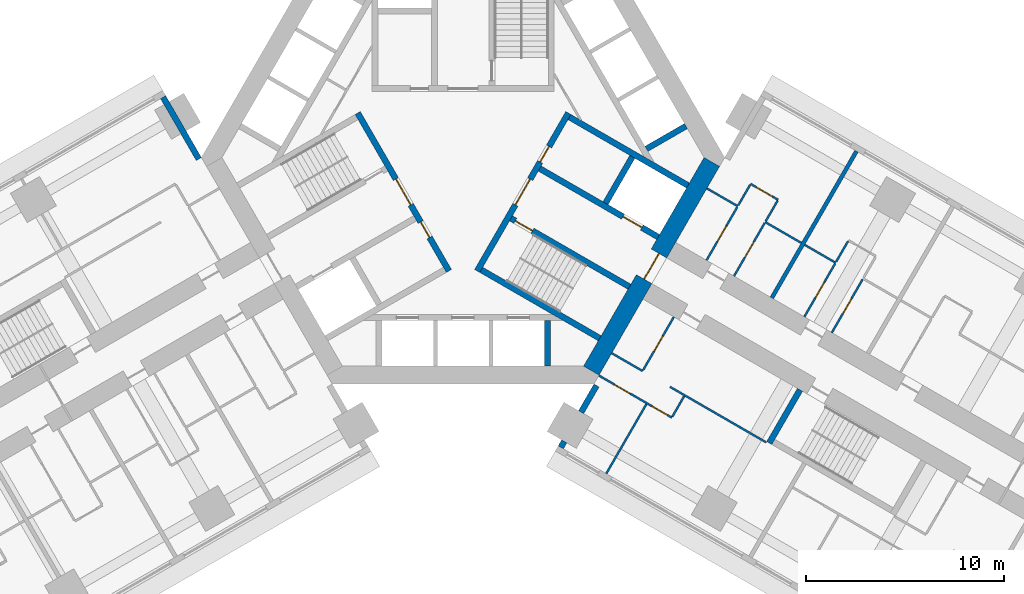
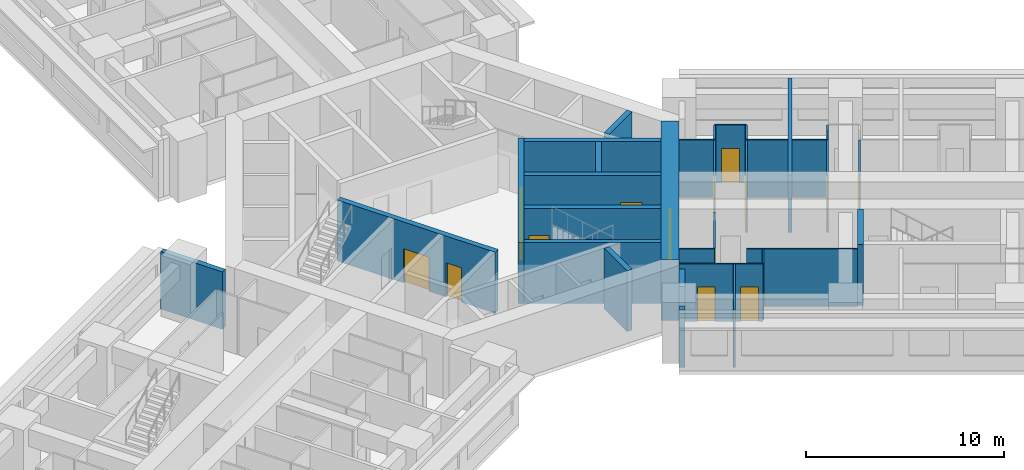
# One storey, part 7 of 17: 32 walls, 15 doors, 15 openings.
"""IFC4 building model written with IfcOpenShell, lengths in metres."""

from ifc_helpers import new_model, si_unit, direction, frame, frame_2d, origin, place, context, subcontext, project, spatial, rectangle, extrude, material, layer, layer_set, type_object, element, fill, save


model = new_model("IFC4")

# Units and contexts
model_context = context("Model", 3, precision=1e-05, world=origin(), true_north=direction((0.0, 1.0)))
body_context = subcontext(model_context, "Body", "Model", "MODEL_VIEW")
ifc_project = project(units=[si_unit("LENGTHUNIT", "METRE"), si_unit("AREAUNIT", "SQUARE_METRE"), si_unit("VOLUMEUNIT", "CUBIC_METRE"), si_unit("PLANEANGLEUNIT", "RADIAN"), si_unit("MASSUNIT", "GRAM", prefix="KILO")], contexts=[model_context])

# Site, building, storey
site_placement = place(None, origin())
site = spatial("IfcSite", under=ifc_project, at=site_placement, CompositionType="ELEMENT")
building_placement = place(site_placement, origin())
building = spatial("IfcBuilding", under=site, at=building_placement, Name="Impinga Residences", CompositionType="ELEMENT")
storey_placement = place(building_placement, frame((0.0, 0.0, 33.5)))
storey = spatial("IfcBuildingStorey", under=building, at=storey_placement, Name="L07", CompositionType="ELEMENT", Elevation=33.5)

# Walls
ifc_material_1 = material(Name="Terracotta rainscreen on blockwork", Category="masonry")
ifc_layer_1 = layer(ifc_material_1, 0.300048828125)
ifc_layer_set_1 = layer_set([ifc_layer_1], Name="EW1 external wall, terracotta rainscreen on blockwork 300")
wall_type_1 = type_object("IfcWallType", Name="EW1 external wall, terracotta rainscreen on blockwork 300", PredefinedType="SOLIDWALL", material=ifc_layer_set_1)
wall_1_placement = place(storey_placement, frame((-15.1298828125, 3.042724609375, 0.0), z_axis=(0.0, 0.0, 1.0), x_axis=(0.500012057535, -0.866018442252, 0.0)))
element("IfcWall", 1, at=wall_1_placement, inside=storey, type_object=wall_type_1, Name="External wall EW1 L07", PredefinedType="SOLIDWALL", context=body_context, shape_type="SweptSolid", body=[
    extrude(rectangle(XDim=3.60009765625, YDim=0.300048828125, at=frame_2d((1.800048828125, 0.0))), origin(), (0.0, 0.0, 1.0), 3.530029296875),
])
wall_2_placement = place(storey_placement, frame((4.929931640625, -14.624267578125, 0.0), z_axis=(0.0, 0.0, 1.0), x_axis=(0.49996389635, 0.866046247233, 0.0)))
element("IfcWall", 2, at=wall_2_placement, inside=storey, type_object=wall_type_1, Name="External wall EW1 L07", PredefinedType="SOLIDWALL", context=body_context, shape_type="SweptSolid", body=[
    extrude(rectangle(XDim=0.35009765625, YDim=0.300048828125, at=frame_2d((0.175048828125, 0.0))), origin(), (0.0, 0.0, 1.0), 3.530029296875),
])
wall_3_placement = place(storey_placement, frame((5.954833984375, -12.848876953125, 0.0), z_axis=(0.0, 0.0, 1.0), x_axis=(0.500086022567, 0.865975732936, 0.0)))
element("IfcWall", 3, at=wall_3_placement, inside=storey, type_object=wall_type_1, Name="External wall EW1 L07", PredefinedType="SOLIDWALL", context=body_context, shape_type="SweptSolid", body=[
    extrude(rectangle(XDim=1.550048828125, YDim=0.300048828125, at=frame_2d((0.77490234375, 0.0))), origin(), (0.0, 0.0, 1.0), 3.530029296875),
])
ifc_material_2 = material(Name="Gypsum board on steel studs", Category="steel")
ifc_layer_2 = layer(ifc_material_2, 0.10009765625)
ifc_layer_set_2 = layer_set([ifc_layer_2], Name="Gypsum board on steel studs")
wall_type_2 = type_object("IfcWallType", Name="IP1 partition 100", PredefinedType="PARTITIONING", material=ifc_layer_set_2)
wall_4_placement = place(storey_placement, frame((12.300048828125, -1.558837890625, 0.0), z_axis=(0.0, 0.0, 1.0), x_axis=(0.866047807691, -0.499961193289, 0.0)))
element("IfcWall", 4, at=wall_4_placement, inside=storey, type_object=wall_type_2, Name="Partition L07-EA1:DIV0", PredefinedType="PARTITIONING", context=body_context, shape_type="SweptSolid", body=[
    extrude(rectangle(XDim=1.800048828125, YDim=0.10009765625, at=frame_2d((0.89990234375, 0.0))), origin(), (0.0, 0.0, 1.0), 3.530029296875),
])
wall_5_placement = place(storey_placement, frame((15.244384765625, -3.2587890625, 0.0), z_axis=(0.0, 0.0, 1.0), x_axis=(0.866038466041, -0.499977374825, 0.0)))
element("IfcWall", 5, at=wall_5_placement, inside=storey, type_object=wall_type_2, Name="Partition L07-EA1:DIV1", PredefinedType="PARTITIONING", context=body_context, shape_type="SweptSolid", body=[
    extrude(rectangle(XDim=2.10009765625, YDim=0.10009765625, at=frame_2d((1.050048828125, 0.0))), origin(), (0.0, 0.0, 1.0), 3.530029296875),
])

# Wall, opening, door
wall_6_placement = place(storey_placement, frame((14.5087890625, -1.3330078125, 0.0), z_axis=(0.0, 0.0, 1.0), x_axis=(0.866028054938, -0.499995408039, 0.0)))
wall_6 = element("IfcWall", 6, at=wall_6_placement, inside=storey, type_object=wall_type_2, Name="Partition L07-EA1:STRIP", PredefinedType="PARTITIONING", context=body_context, shape_type="SweptSolid", body=[
    extrude(rectangle(XDim=1.60009765625, YDim=0.10009765625, at=frame_2d((0.800048828125, 0.0))), origin(), (0.0, 0.0, 1.0), 3.530029296875),
])
opening_1_placement = place(wall_6_placement, frame((0.35009765625, 0.0, 0.0)))
opening_1 = element("IfcOpeningElement", 7, at=opening_1_placement, cuts=wall_6, Name="Opening D2", PredefinedType="OPENING", context=body_context, shape_type="SweptSolid", body=[
    extrude(rectangle(XDim=0.89990234375, YDim=2.10009765625, at=frame_2d((0.449951171875, 1.050048828125))), frame((0.0, 0.06005859375, 0.0), z_axis=(0.0, -1.0, 0.0), x_axis=(1.0, 0.0, 0.0)), (0.0, 0.0, 1.0), 0.1201171875),
])
ifc_material_3 = material(Name="Timber door set", Category="wood")
door_type_1 = type_object("IfcDoorType", Name="D2 internal door 900x2100", OperationType="SINGLE_SWING_LEFT", PredefinedType="DOOR", material=ifc_material_3)
door_1_placement = place(opening_1_placement, origin())
door_1 = element("IfcDoor", 8, at=door_1_placement, inside=storey, type_object=door_type_1, Name="Apartment L07-EA1 room door", OperationType="SINGLE_SWING_LEFT", OverallHeight=2.10009765625, OverallWidth=0.89990234375, PredefinedType="DOOR", context=body_context, shape_type="SweptSolid", body=[
    extrude(rectangle(XDim=0.89990234375, YDim=2.10009765625, at=frame_2d((0.449951171875, 1.050048828125))), frame((0.0, 0.02490234375, 0.0), z_axis=(0.0, -1.0, 0.0), x_axis=(1.0, 0.0, 0.0)), (0.0, 0.0, 1.0), 0.050048828125),
])
fill(opening_1, door_1)

# Walls
wall_7_placement = place(storey_placement, frame((13.8837890625, -2.41552734375, 0.0), z_axis=(0.0, 0.0, 1.0), x_axis=(0.500033551112, 0.866006032174, 0.0)))
element("IfcWall", 9, at=wall_7_placement, inside=storey, type_object=wall_type_2, Name="Partition L07-EA1:SE0", PredefinedType="PARTITIONING", context=body_context, shape_type="SweptSolid", body=[
    extrude(rectangle(XDim=1.2001953125, YDim=0.10009765625, at=frame_2d((0.60009765625, 0.0))), origin(), (0.0, 0.0, 1.0), 3.530029296875),
])
wall_8_placement = place(storey_placement, frame((15.26953125, -3.215576171875, 0.0), z_axis=(0.0, 0.0, 1.0), x_axis=(0.499880961361, 0.866094119867, 0.0)))
element("IfcWall", 10, at=wall_8_placement, inside=storey, type_object=wall_type_2, Name="Partition L07-EA1:SE1", PredefinedType="PARTITIONING", context=body_context, shape_type="SweptSolid", body=[
    extrude(rectangle(XDim=1.199951171875, YDim=0.10009765625, at=frame_2d((0.60009765625, 0.0))), origin(), (0.0, 0.0, 1.0), 3.530029296875),
])

# Wall, opening, door
wall_9_placement = place(storey_placement, frame((12.283935546875, -5.186767578125, 0.0), z_axis=(0.0, 0.0, 1.0), x_axis=(0.499967891604, 0.866043940782, 0.0)))
wall_9 = element("IfcWall", 11, at=wall_9_placement, inside=storey, type_object=wall_type_2, Name="Partition L07-EA1:IB1", PredefinedType="PARTITIONING", context=body_context, shape_type="SweptSolid", body=[
    extrude(rectangle(XDim=3.099853515625, YDim=0.10009765625, at=frame_2d((1.5498046875, 0.0))), origin(), (0.0, 0.0, 1.0), 3.530029296875),
])
opening_2_placement = place(wall_9_placement, frame((1.10009765625, 0.0, 0.0)))
opening_2 = element("IfcOpeningElement", 12, at=opening_2_placement, cuts=wall_9, Name="Opening D2", PredefinedType="OPENING", context=body_context, shape_type="SweptSolid", body=[
    extrude(rectangle(XDim=0.89990234375, YDim=2.10009765625, at=frame_2d((0.449951171875, 1.050048828125))), frame((0.0, 0.06005859375, 0.0), z_axis=(0.0, -1.0, 0.0), x_axis=(1.0, 0.0, 0.0)), (0.0, 0.0, 1.0), 0.1201171875),
])
door_2_placement = place(opening_2_placement, origin())
door_2 = element("IfcDoor", 13, at=door_2_placement, inside=storey, type_object=door_type_1, Name="Apartment L07-EA1 bathroom door", OperationType="SINGLE_SWING_LEFT", OverallHeight=2.10009765625, OverallWidth=0.89990234375, PredefinedType="DOOR", context=body_context, shape_type="SweptSolid", body=[
    extrude(rectangle(XDim=0.89990234375, YDim=2.10009765625, at=frame_2d((0.449951171875, 1.050048828125))), frame((0.0, 0.02490234375, 0.0), z_axis=(0.0, -1.0, 0.0), x_axis=(1.0, 0.0, 0.0)), (0.0, 0.0, 1.0), 0.050048828125),
])
fill(opening_2, door_2)

wall_10_placement = place(storey_placement, frame((13.66943359375, -5.98681640625, 0.0), z_axis=(0.0, 0.0, 1.0), x_axis=(0.500026960575, 0.86600983753, 0.0)))
wall_10 = element("IfcWall", 14, at=wall_10_placement, inside=storey, type_object=wall_type_2, Name="Partition L07-EA1:IB2", PredefinedType="PARTITIONING", context=body_context, shape_type="SweptSolid", body=[
    extrude(rectangle(XDim=3.099853515625, YDim=0.10009765625, at=frame_2d((1.5498046875, 0.0))), origin(), (0.0, 0.0, 1.0), 3.530029296875),
])
opening_3_placement = place(wall_10_placement, frame((1.10009765625, 0.0, 0.0)))
opening_3 = element("IfcOpeningElement", 15, at=opening_3_placement, cuts=wall_10, Name="Opening D2", PredefinedType="OPENING", context=body_context, shape_type="SweptSolid", body=[
    extrude(rectangle(XDim=0.89990234375, YDim=2.10009765625, at=frame_2d((0.449951171875, 1.050048828125))), frame((0.0, 0.06005859375, 0.0), z_axis=(0.0, -1.0, 0.0), x_axis=(1.0, 0.0, 0.0)), (0.0, 0.0, 1.0), 0.1201171875),
])
door_3_placement = place(opening_3_placement, origin())
door_3 = element("IfcDoor", 16, at=door_3_placement, inside=storey, type_object=door_type_1, Name="Apartment L07-EA1 WC door", OperationType="SINGLE_SWING_LEFT", OverallHeight=2.10009765625, OverallWidth=0.89990234375, PredefinedType="DOOR", context=body_context, shape_type="SweptSolid", body=[
    extrude(rectangle(XDim=0.89990234375, YDim=2.10009765625, at=frame_2d((0.449951171875, 1.050048828125))), frame((0.0, 0.02490234375, 0.0), z_axis=(0.0, -1.0, 0.0), x_axis=(1.0, 0.0, 0.0)), (0.0, 0.0, 1.0), 0.050048828125),
])
fill(opening_3, door_3)

# Walls
wall_11_placement = place(storey_placement, frame((17.236328125, -4.408935546875, 0.0), z_axis=(0.0, 0.0, 1.0), x_axis=(0.866047807691, -0.499961193289, 0.0)))
element("IfcWall", 17, at=wall_11_placement, inside=storey, type_object=wall_type_2, Name="Partition L07-EA2:DIV0", PredefinedType="PARTITIONING", context=body_context, shape_type="SweptSolid", body=[
    extrude(rectangle(XDim=1.800048828125, YDim=0.10009765625, at=frame_2d((0.89990234375, 0.0))), origin(), (0.0, 0.0, 1.0), 3.530029296875),
])
wall_12_placement = place(storey_placement, frame((18.8203125, -5.265625, 0.0), z_axis=(0.0, 0.0, 1.0), x_axis=(0.499880961361, 0.866094119867, 0.0)))
element("IfcWall", 18, at=wall_12_placement, inside=storey, type_object=wall_type_2, Name="Partition L07-EA2:SE0", PredefinedType="PARTITIONING", context=body_context, shape_type="SweptSolid", body=[
    extrude(rectangle(XDim=1.199951171875, YDim=0.10009765625, at=frame_2d((0.60009765625, 0.0))), origin(), (0.0, 0.0, 1.0), 3.530029296875),
])

# Wall, opening, door
wall_13_placement = place(storey_placement, frame((17.22021484375, -8.036865234375, 0.0), z_axis=(0.0, 0.0, 1.0), x_axis=(0.49999285859, 0.86602952684, 0.0)))
wall_13 = element("IfcWall", 19, at=wall_13_placement, inside=storey, type_object=wall_type_2, Name="Partition L07-EA2:IB1", PredefinedType="PARTITIONING", context=body_context, shape_type="SweptSolid", body=[
    extrude(rectangle(XDim=3.10009765625, YDim=0.10009765625, at=frame_2d((1.550048828125, 0.0))), origin(), (0.0, 0.0, 1.0), 3.530029296875),
])
opening_4_placement = place(wall_13_placement, frame((1.10009765625, 0.0, 0.0)))
opening_4 = element("IfcOpeningElement", 20, at=opening_4_placement, cuts=wall_13, Name="Opening D2", PredefinedType="OPENING", context=body_context, shape_type="SweptSolid", body=[
    extrude(rectangle(XDim=0.89990234375, YDim=2.10009765625, at=frame_2d((0.449951171875, 1.050048828125))), frame((0.0, 0.06005859375, 0.0), z_axis=(0.0, -1.0, 0.0), x_axis=(1.0, 0.0, 0.0)), (0.0, 0.0, 1.0), 0.1201171875),
])
door_4_placement = place(opening_4_placement, origin())
door_4 = element("IfcDoor", 21, at=door_4_placement, inside=storey, type_object=door_type_1, Name="Apartment L07-EA2 bathroom door", OperationType="SINGLE_SWING_LEFT", OverallHeight=2.10009765625, OverallWidth=0.89990234375, PredefinedType="DOOR", context=body_context, shape_type="SweptSolid", body=[
    extrude(rectangle(XDim=0.89990234375, YDim=2.10009765625, at=frame_2d((0.449951171875, 1.050048828125))), frame((0.0, 0.02490234375, 0.0), z_axis=(0.0, -1.0, 0.0), x_axis=(1.0, 0.0, 0.0)), (0.0, 0.0, 1.0), 0.050048828125),
])
fill(opening_4, door_4)

wall_14_placement = place(storey_placement, frame((18.605712890625, -8.8369140625, 0.0), z_axis=(0.0, 0.0, 1.0), x_axis=(0.49999285859, 0.86602952684, 0.0)))
wall_14 = element("IfcWall", 22, at=wall_14_placement, inside=storey, type_object=wall_type_2, Name="Partition L07-EA2:IB2", PredefinedType="PARTITIONING", context=body_context, shape_type="SweptSolid", body=[
    extrude(rectangle(XDim=3.10009765625, YDim=0.10009765625, at=frame_2d((1.550048828125, 0.0))), origin(), (0.0, 0.0, 1.0), 3.530029296875),
])
opening_5_placement = place(wall_14_placement, frame((1.10009765625, 0.0, 0.0)))
opening_5 = element("IfcOpeningElement", 23, at=opening_5_placement, cuts=wall_14, Name="Opening D2", PredefinedType="OPENING", context=body_context, shape_type="SweptSolid", body=[
    extrude(rectangle(XDim=0.89990234375, YDim=2.10009765625, at=frame_2d((0.449951171875, 1.050048828125))), frame((0.0, 0.06005859375, 0.0), z_axis=(0.0, -1.0, 0.0), x_axis=(1.0, 0.0, 0.0)), (0.0, 0.0, 1.0), 0.1201171875),
])
door_5_placement = place(opening_5_placement, origin())
door_5 = element("IfcDoor", 24, at=door_5_placement, inside=storey, type_object=door_type_1, Name="Apartment L07-EA2 WC door", OperationType="SINGLE_SWING_LEFT", OverallHeight=2.10009765625, OverallWidth=0.89990234375, PredefinedType="DOOR", context=body_context, shape_type="SweptSolid", body=[
    extrude(rectangle(XDim=0.89990234375, YDim=2.10009765625, at=frame_2d((0.449951171875, 1.050048828125))), frame((0.0, 0.02490234375, 0.0), z_axis=(0.0, -1.0, 0.0), x_axis=(1.0, 0.0, 0.0)), (0.0, 0.0, 1.0), 0.050048828125),
])
fill(opening_5, door_5)

# Walls
wall_15_placement = place(storey_placement, frame((7.5, -9.872802734375, 0.0), z_axis=(0.0, 0.0, 1.0), x_axis=(0.866047807691, -0.499961193289, 0.0)))
element("IfcWall", 25, at=wall_15_placement, inside=storey, type_object=wall_type_2, Name="Partition L07-EF1:DIV0", PredefinedType="PARTITIONING", context=body_context, shape_type="SweptSolid", body=[
    extrude(rectangle(XDim=1.800048828125, YDim=0.10009765625, at=frame_2d((0.89990234375, 0.0))), origin(), (0.0, 0.0, 1.0), 3.530029296875),
])
wall_16_placement = place(storey_placement, frame((10.444580078125, -11.57275390625, 0.0), z_axis=(0.0, 0.0, 1.0), x_axis=(0.866015695474, -0.500016814911, 0.0)))
element("IfcWall", 26, at=wall_16_placement, inside=storey, type_object=wall_type_2, Name="Partition L07-EF1:DIV1", PredefinedType="PARTITIONING", context=body_context, shape_type="SweptSolid", body=[
    extrude(rectangle(XDim=5.599853515625, YDim=0.10009765625, at=frame_2d((2.7998046875, 0.0))), origin(), (0.0, 0.0, 1.0), 3.530029296875),
])

# Wall, openings, doors
wall_17_placement = place(storey_placement, frame((6.85009765625, -10.99853515625, 0.0), z_axis=(0.0, 0.0, 1.0), x_axis=(0.866014341725, -0.50001915956, 0.0)))
wall_17 = element("IfcWall", 27, at=wall_17_placement, inside=storey, type_object=wall_type_2, Name="Partition L07-EF1:STRIP", PredefinedType="PARTITIONING", context=body_context, shape_type="SweptSolid", body=[
    extrude(rectangle(XDim=4.249755859375, YDim=0.10009765625, at=frame_2d((2.125, 0.0))), origin(), (0.0, 0.0, 1.0), 3.530029296875),
])
opening_6_placement = place(wall_17_placement, frame((0.925048828125, 0.0, 0.0)))
opening_6 = element("IfcOpeningElement", 28, at=opening_6_placement, cuts=wall_17, Name="Opening D2", PredefinedType="OPENING", context=body_context, shape_type="SweptSolid", body=[
    extrude(rectangle(XDim=0.89990234375, YDim=2.10009765625, at=frame_2d((0.449951171875, 1.050048828125))), frame((0.0, 0.06005859375, 0.0), z_axis=(0.0, -1.0, 0.0), x_axis=(1.0, 0.0, 0.0)), (0.0, 0.0, 1.0), 0.1201171875),
])
opening_7_placement = place(wall_17_placement, frame((3.10009765625, 0.0, 0.0)))
opening_7 = element("IfcOpeningElement", 29, at=opening_7_placement, cuts=wall_17, Name="Opening D2", PredefinedType="OPENING", context=body_context, shape_type="SweptSolid", body=[
    extrude(rectangle(XDim=0.89990234375, YDim=2.10009765625, at=frame_2d((0.449951171875, 1.050048828125))), frame((0.0, 0.06005859375, 0.0), z_axis=(0.0, -1.0, 0.0), x_axis=(1.0, 0.0, 0.0)), (0.0, 0.0, 1.0), 0.1201171875),
])
door_6_placement = place(opening_6_placement, origin())
door_6 = element("IfcDoor", 30, at=door_6_placement, inside=storey, type_object=door_type_1, Name="Apartment L07-EF1 room door", OperationType="SINGLE_SWING_LEFT", OverallHeight=2.10009765625, OverallWidth=0.89990234375, PredefinedType="DOOR", context=body_context, shape_type="SweptSolid", body=[
    extrude(rectangle(XDim=0.89990234375, YDim=2.10009765625, at=frame_2d((0.449951171875, 1.050048828125))), frame((0.0, 0.02490234375, 0.0), z_axis=(0.0, -1.0, 0.0), x_axis=(1.0, 0.0, 0.0)), (0.0, 0.0, 1.0), 0.050048828125),
])
fill(opening_6, door_6)
door_7_placement = place(opening_7_placement, origin())
door_7 = element("IfcDoor", 31, at=door_7_placement, inside=storey, type_object=door_type_1, Name="Apartment L07-EF1 room door", OperationType="SINGLE_SWING_RIGHT", OverallHeight=2.10009765625, OverallWidth=0.89990234375, PredefinedType="DOOR", context=body_context, shape_type="SweptSolid", body=[
    extrude(rectangle(XDim=0.89990234375, YDim=2.10009765625, at=frame_2d((0.449951171875, 1.050048828125))), frame((0.0, 0.02490234375, 0.0), z_axis=(0.0, -1.0, 0.0), x_axis=(1.0, 0.0, 0.0)), (0.0, 0.0, 1.0), 0.050048828125),
])
fill(opening_7, door_7)

# Wall
wall_18_placement = place(storey_placement, frame((11.155517578125, -12.041015625, 0.0), z_axis=(0.0, 0.0, 1.0), x_axis=(-0.499880961361, -0.866094119867, 0.0)))
element("IfcWall", 32, at=wall_18_placement, inside=storey, type_object=wall_type_2, Name="Partition L07-EF1:SE1", PredefinedType="PARTITIONING", context=body_context, shape_type="SweptSolid", body=[
    extrude(rectangle(XDim=1.199951171875, YDim=0.10009765625, at=frame_2d((0.60009765625, 0.0))), origin(), (0.0, 0.0, 1.0), 3.530029296875),
])

# Wall, opening, door
wall_19_placement = place(storey_placement, frame((10.6337890625, -8.044677734375, 0.0), z_axis=(0.0, 0.0, 1.0), x_axis=(-0.49999285859, -0.86602952684, 0.0)))
wall_19 = element("IfcWall", 33, at=wall_19_placement, inside=storey, type_object=wall_type_2, Name="Partition L07-EF1:IB1", PredefinedType="PARTITIONING", context=body_context, shape_type="SweptSolid", body=[
    extrude(rectangle(XDim=3.10009765625, YDim=0.10009765625, at=frame_2d((1.550048828125, 0.0))), origin(), (0.0, 0.0, 1.0), 3.530029296875),
])
opening_8_placement = place(wall_19_placement, frame((1.10009765625, 0.0, 0.0)))
opening_8 = element("IfcOpeningElement", 34, at=opening_8_placement, cuts=wall_19, Name="Opening D2", PredefinedType="OPENING", context=body_context, shape_type="SweptSolid", body=[
    extrude(rectangle(XDim=0.89990234375, YDim=2.10009765625, at=frame_2d((0.449951171875, 1.050048828125))), frame((0.0, 0.06005859375, 0.0), z_axis=(0.0, -1.0, 0.0), x_axis=(1.0, 0.0, 0.0)), (0.0, 0.0, 1.0), 0.1201171875),
])
door_8_placement = place(opening_8_placement, origin())
door_8 = element("IfcDoor", 35, at=door_8_placement, inside=storey, type_object=door_type_1, Name="Apartment L07-EF1 bathroom door", OperationType="SINGLE_SWING_LEFT", OverallHeight=2.10009765625, OverallWidth=0.89990234375, PredefinedType="DOOR", context=body_context, shape_type="SweptSolid", body=[
    extrude(rectangle(XDim=0.89990234375, YDim=2.10009765625, at=frame_2d((0.449951171875, 1.050048828125))), frame((0.0, 0.02490234375, 0.0), z_axis=(0.0, -1.0, 0.0), x_axis=(1.0, 0.0, 0.0)), (0.0, 0.0, 1.0), 0.050048828125),
])
fill(opening_8, door_8)

# Walls
wall_20_placement = place(storey_placement, frame((9.249755859375, -12.44189453125, 0.0), z_axis=(0.0, 0.0, 1.0), x_axis=(-0.499990325971, -0.866030989016, 0.0)))
element("IfcWall", 36, at=wall_20_placement, inside=storey, type_object=wall_type_2, Name="Partition L07-EF1:OB1", PredefinedType="PARTITIONING", context=body_context, shape_type="SweptSolid", body=[
    extrude(rectangle(XDim=4.0498046875, YDim=0.10009765625, at=frame_2d((2.02490234375, 0.0))), origin(), (0.0, 0.0, 1.0), 3.530029296875),
])
ifc_material_4 = material(Name="Concrete blockwork", Category="masonry")
ifc_layer_3 = layer(ifc_material_4, 0.199951171875)
ifc_layer_set_3 = layer_set([ifc_layer_3], Name="PW1 party wall between apartments 200")
wall_type_3 = type_object("IfcWallType", Name="PW1 party wall between apartments 200", PredefinedType="SOLIDWALL", material=ifc_layer_set_3)
wall_21_placement = place(storey_placement, frame((15.57470703125, -7.0869140625, 0.0), z_axis=(0.0, 0.0, 1.0), x_axis=(0.500011643316, 0.866018681408, 0.0)))
element("IfcWall", 37, at=wall_21_placement, inside=storey, type_object=wall_type_3, Name="Party wall between apartments L07-EA1:PARTY", PredefinedType="SOLIDWALL", context=body_context, shape_type="SweptSolid", body=[
    extrude(rectangle(XDim=8.550048828125, YDim=0.199951171875, at=frame_2d((4.27490234375, 0.0))), origin(), (0.0, 0.0, 1.0), 3.530029296875),
])
ifc_material_5 = material(Name="Concrete C60/75", Category="concrete")
ifc_layer_4 = layer(ifc_material_5, 0.300048828125)
ifc_layer_set_4 = layer_set([ifc_layer_4], Name="Concrete C60/75")
wall_type_4 = type_object("IfcWallType", Name="SE1 wing stair enclosure wall 300", PredefinedType="SOLIDWALL", material=ifc_layer_set_4)
wall_22_placement = place(storey_placement, frame((16.9990234375, -11.7197265625, 0.0), z_axis=(0.0, 0.0, 1.0), x_axis=(-0.499967891604, -0.866043940782, 0.0)))
element("IfcWall", 38, at=wall_22_placement, inside=storey, type_object=wall_type_4, Name="Stair enclosure wall SE1 E END0 L07", PredefinedType="SOLIDWALL", context=body_context, shape_type="SweptSolid", body=[
    extrude(rectangle(XDim=3.099853515625, YDim=0.300048828125, at=frame_2d((1.5498046875, 0.0))), origin(), (0.0, 0.0, 1.0), 3.75),
])

# Wall, opening, door
ifc_material_6 = material(Name="Concrete C70/85", Category="concrete")
ifc_layer_5 = layer(ifc_material_6, 0.89990234375)
ifc_layer_set_5 = layer_set([ifc_layer_5], Name="Concrete C70/85")
wall_type_5 = type_object("IfcWallType", Name="SW1 core wall 900", PredefinedType="SHEAR", material=ifc_layer_set_5)
wall_23_placement = place(storey_placement, frame((12.550537109375, -0.22509765625, 0.0), z_axis=(0.0, 0.0, 1.0), x_axis=(-0.499997612506, -0.8660267822, 0.0)))
wall_23 = element("IfcWall", 39, at=wall_23_placement, inside=storey, type_object=wall_type_5, Name="Core wall SW1 E:FACE L07", PredefinedType="SHEAR", context=body_context, shape_type="SweptSolid", body=[
    extrude(rectangle(XDim=12.16064453125, YDim=0.89990234375, at=frame_2d((6.080322265625, 0.0))), origin(), (0.0, 0.0, 1.0), 3.75),
])
opening_9_placement = place(wall_23_placement, frame((5.330322265625, 0.0, 0.0)))
opening_9 = element("IfcOpeningElement", 40, at=opening_9_placement, cuts=wall_23, Name="Opening D4", PredefinedType="OPENING", context=body_context, shape_type="SweptSolid", body=[
    extrude(rectangle(XDim=1.5, YDim=2.10009765625, at=frame_2d((0.75, 1.050048828125))), frame((0.0, 0.4599609375, 0.0), z_axis=(0.0, -1.0, 0.0), x_axis=(1.0, 0.0, 0.0)), (0.0, 0.0, 1.0), 0.919921875),
])
door_type_2 = type_object("IfcDoorType", Name="D4 lobby door pair 1500x2100", OperationType="DOUBLE_DOOR_DOUBLE_SWING", PredefinedType="DOOR", material=ifc_material_3)
door_9_placement = place(opening_9_placement, origin())
door_9 = element("IfcDoor", 41, at=door_9_placement, inside=storey, type_object=door_type_2, Name="Lobby door E", OperationType="DOUBLE_DOOR_DOUBLE_SWING", OverallHeight=2.10009765625, OverallWidth=1.5, PredefinedType="DOOR", context=body_context, shape_type="SweptSolid", body=[
    extrude(rectangle(XDim=1.5, YDim=2.10009765625, at=frame_2d((0.75, 1.050048828125))), frame((0.0, 0.02490234375, 0.0), z_axis=(0.0, -1.0, 0.0), x_axis=(1.0, 0.0, 0.0)), (0.0, 0.0, 1.0), 0.050048828125),
])
fill(opening_9, door_9)

# Wall, openings, doors
ifc_layer_6 = layer(ifc_material_6, 0.300048828125)
ifc_layer_set_6 = layer_set([ifc_layer_6], Name="Concrete C70/85")
wall_type_6 = type_object("IfcWallType", Name="SW5 core inner wall, stairs, shafts and lobbies 300", PredefinedType="SHEAR", material=ifc_layer_set_6)
wall_24_placement = place(storey_placement, frame((-0.7138671875, -5.7236328125, 0.0), z_axis=(0.0, 0.0, 1.0), x_axis=(-0.499995050369, 0.866028261437, 0.0)))
wall_24 = element("IfcWall", 42, at=wall_24_placement, inside=storey, type_object=wall_type_6, Name="Core wall SW5 W:ZONE L07", PredefinedType="SHEAR", context=body_context, shape_type="SweptSolid", body=[
    extrude(rectangle(XDim=9.19970703125, YDim=0.300048828125, at=frame_2d((4.599853515625, 0.0))), origin(), (0.0, 0.0, 1.0), 3.75),
])
opening_10_placement = place(wall_24_placement, frame((3.85009765625, 0.0, 0.0)))
opening_10 = element("IfcOpeningElement", 43, at=opening_10_placement, cuts=wall_24, Name="Opening D4", PredefinedType="OPENING", context=body_context, shape_type="SweptSolid", body=[
    extrude(rectangle(XDim=1.5, YDim=2.10009765625, at=frame_2d((0.75, 1.050048828125))), frame((0.0, 0.159912109375, 0.0), z_axis=(0.0, -1.0, 0.0), x_axis=(1.0, 0.0, 0.0)), (0.0, 0.0, 1.0), 0.320068359375),
])
opening_11_placement = place(wall_24_placement, frame((1.949951171875, 0.0, 0.0)))
opening_11 = element("IfcOpeningElement", 44, at=opening_11_placement, cuts=wall_24, Name="Opening D6", PredefinedType="OPENING", context=body_context, shape_type="SweptSolid", body=[
    extrude(rectangle(XDim=0.89990234375, YDim=2.10009765625, at=frame_2d((0.449951171875, 1.050048828125))), frame((0.0, 0.159912109375, 0.0), z_axis=(0.0, -1.0, 0.0), x_axis=(1.0, 0.0, 0.0)), (0.0, 0.0, 1.0), 0.320068359375),
])
door_10_placement = place(opening_10_placement, origin())
door_10 = element("IfcDoor", 45, at=door_10_placement, inside=storey, type_object=door_type_2, Name="Firefighting lobby door W", OperationType="DOUBLE_DOOR_DOUBLE_SWING", OverallHeight=2.10009765625, OverallWidth=1.5, PredefinedType="DOOR", context=body_context, shape_type="SweptSolid", body=[
    extrude(rectangle(XDim=1.5, YDim=2.10009765625, at=frame_2d((0.75, 1.050048828125))), frame((0.0, 0.02490234375, 0.0), z_axis=(0.0, -1.0, 0.0), x_axis=(1.0, 0.0, 0.0)), (0.0, 0.0, 1.0), 0.050048828125),
])
fill(opening_10, door_10)
door_type_3 = type_object("IfcDoorType", Name="D6 riser and store door 900x2100", OperationType="SINGLE_SWING_LEFT", PredefinedType="DOOR", material=ifc_material_3)
door_11_placement = place(opening_11_placement, origin())
door_11 = element("IfcDoor", 46, at=door_11_placement, inside=storey, type_object=door_type_3, Name="Riser door W", OperationType="SINGLE_SWING_LEFT", OverallHeight=2.10009765625, OverallWidth=0.89990234375, PredefinedType="DOOR", context=body_context, shape_type="SweptSolid", body=[
    extrude(rectangle(XDim=0.89990234375, YDim=2.10009765625, at=frame_2d((0.449951171875, 1.050048828125))), frame((0.0, 0.02490234375, 0.0), z_axis=(0.0, -1.0, 0.0), x_axis=(1.0, 0.0, 0.0)), (0.0, 0.0, 1.0), 0.050048828125),
])
fill(opening_11, door_11)

wall_25_placement = place(storey_placement, frame((5.313720703125, 2.24365234375, 0.0), z_axis=(0.0, 0.0, 1.0), x_axis=(-0.499995050369, -0.866028261437, 0.0)))
wall_25 = element("IfcWall", 47, at=wall_25_placement, inside=storey, type_object=wall_type_6, Name="Core wall SW5 E:ZONE L07", PredefinedType="SHEAR", context=body_context, shape_type="SweptSolid", body=[
    extrude(rectangle(XDim=9.19970703125, YDim=0.300048828125, at=frame_2d((4.599853515625, 0.0))), origin(), (0.0, 0.0, 1.0), 3.75),
])
opening_12_placement = place(wall_25_placement, frame((3.85009765625, 0.0, 0.0)))
opening_12 = element("IfcOpeningElement", 48, at=opening_12_placement, cuts=wall_25, Name="Opening D4", PredefinedType="OPENING", context=body_context, shape_type="SweptSolid", body=[
    extrude(rectangle(XDim=1.5, YDim=2.10009765625, at=frame_2d((0.75, 1.050048828125))), frame((0.0, 0.159912109375, 0.0), z_axis=(0.0, -1.0, 0.0), x_axis=(1.0, 0.0, 0.0)), (0.0, 0.0, 1.0), 0.320068359375),
])
opening_13_placement = place(wall_25_placement, frame((1.949951171875, 0.0, 0.0)))
opening_13 = element("IfcOpeningElement", 49, at=opening_13_placement, cuts=wall_25, Name="Opening D6", PredefinedType="OPENING", context=body_context, shape_type="SweptSolid", body=[
    extrude(rectangle(XDim=0.89990234375, YDim=2.10009765625, at=frame_2d((0.449951171875, 1.050048828125))), frame((0.0, 0.159912109375, 0.0), z_axis=(0.0, -1.0, 0.0), x_axis=(1.0, 0.0, 0.0)), (0.0, 0.0, 1.0), 0.320068359375),
])
door_12_placement = place(opening_12_placement, origin())
door_12 = element("IfcDoor", 50, at=door_12_placement, inside=storey, type_object=door_type_2, Name="Firefighting lobby door E", OperationType="DOUBLE_DOOR_DOUBLE_SWING", OverallHeight=2.10009765625, OverallWidth=1.5, PredefinedType="DOOR", context=body_context, shape_type="SweptSolid", body=[
    extrude(rectangle(XDim=1.5, YDim=2.10009765625, at=frame_2d((0.75, 1.050048828125))), frame((0.0, 0.02490234375, 0.0), z_axis=(0.0, -1.0, 0.0), x_axis=(1.0, 0.0, 0.0)), (0.0, 0.0, 1.0), 0.050048828125),
])
fill(opening_12, door_12)
door_13_placement = place(opening_13_placement, origin())
door_13 = element("IfcDoor", 51, at=door_13_placement, inside=storey, type_object=door_type_3, Name="Riser door E", OperationType="SINGLE_SWING_LEFT", OverallHeight=2.10009765625, OverallWidth=0.89990234375, PredefinedType="DOOR", context=body_context, shape_type="SweptSolid", body=[
    extrude(rectangle(XDim=0.89990234375, YDim=2.10009765625, at=frame_2d((0.449951171875, 1.050048828125))), frame((0.0, 0.02490234375, 0.0), z_axis=(0.0, -1.0, 0.0), x_axis=(1.0, 0.0, 0.0)), (0.0, 0.0, 1.0), 0.050048828125),
])
fill(opening_13, door_13)

# Wall, opening, door
wall_26_placement = place(storey_placement, frame((2.418701171875, -3.07080078125, 0.0), z_axis=(0.0, 0.0, 1.0), x_axis=(0.86602711848, -0.499997030048, 0.0)))
wall_26 = element("IfcWall", 52, at=wall_26_placement, inside=storey, type_object=wall_type_6, Name="Core wall SW5 E:ST-IN L07", PredefinedType="SHEAR", context=body_context, shape_type="SweptSolid", body=[
    extrude(rectangle(XDim=6.9013671875, YDim=0.300048828125, at=frame_2d((3.45068359375, 0.0))), origin(), (0.0, 0.0, 1.0), 3.75),
])
opening_14_placement = place(wall_26_placement, frame((0.25, 0.0, 0.0)))
opening_14 = element("IfcOpeningElement", 53, at=opening_14_placement, cuts=wall_26, Name="Opening D5", PredefinedType="OPENING", context=body_context, shape_type="SweptSolid", body=[
    extrude(rectangle(XDim=1.0, YDim=2.10009765625, at=frame_2d((0.5, 1.050048828125))), frame((0.0, 0.159912109375, 0.0), z_axis=(0.0, -1.0, 0.0), x_axis=(1.0, 0.0, 0.0)), (0.0, 0.0, 1.0), 0.320068359375),
])
door_type_4 = type_object("IfcDoorType", Name="D5 stair door 1000x2100", OperationType="SINGLE_SWING_LEFT", PredefinedType="DOOR", material=ifc_material_3)
door_14_placement = place(opening_14_placement, origin())
door_14 = element("IfcDoor", 54, at=door_14_placement, inside=storey, type_object=door_type_4, Name="Stair door E", OperationType="SINGLE_SWING_LEFT", OverallHeight=2.10009765625, OverallWidth=1.0, PredefinedType="DOOR", context=body_context, shape_type="SweptSolid", body=[
    extrude(rectangle(XDim=1.0, YDim=2.10009765625, at=frame_2d((0.5, 1.050048828125))), frame((0.0, 0.02490234375, 0.0), z_axis=(0.0, -1.0, 0.0), x_axis=(1.0, 0.0, 0.0)), (0.0, 0.0, 1.0), 0.050048828125),
])
fill(opening_14, door_14)

# Wall
wall_27_placement = place(storey_placement, frame((0.918701171875, -5.668701171875, 0.0), z_axis=(0.0, 0.0, 1.0), x_axis=(0.866011800373, -0.500023561059, 0.0)))
element("IfcWall", 55, at=wall_27_placement, inside=storey, type_object=wall_type_6, Name="Core wall SW5 E:ST-OUT L07", PredefinedType="SHEAR", context=body_context, shape_type="SweptSolid", body=[
    extrude(rectangle(XDim=6.901611328125, YDim=0.300048828125, at=frame_2d((3.45068359375, 0.0))), origin(), (0.0, 0.0, 1.0), 3.75),
])

# Wall, opening, door
wall_28_placement = place(storey_placement, frame((3.86865234375, -0.559326171875, 0.0), z_axis=(0.0, 0.0, 1.0), x_axis=(0.86602711848, -0.499997030048, 0.0)))
wall_28 = element("IfcWall", 56, at=wall_28_placement, inside=storey, type_object=wall_type_6, Name="Core wall SW5 E:FF-IN L07", PredefinedType="SHEAR", context=body_context, shape_type="SweptSolid", body=[
    extrude(rectangle(XDim=6.9013671875, YDim=0.300048828125, at=frame_2d((3.45068359375, 0.0))), origin(), (0.0, 0.0, 1.0), 3.75),
])
opening_15_placement = place(wall_28_placement, frame((4.85009765625, 0.0, 0.0)))
opening_15 = element("IfcOpeningElement", 57, at=opening_15_placement, cuts=wall_28, Name="Opening LD2", PredefinedType="OPENING", context=body_context, shape_type="SweptSolid", body=[
    extrude(rectangle(XDim=1.10009765625, YDim=2.10009765625, at=frame_2d((0.550048828125, 1.050048828125))), frame((0.0, 0.159912109375, 0.0), z_axis=(0.0, -1.0, 0.0), x_axis=(1.0, 0.0, 0.0)), (0.0, 0.0, 1.0), 0.320068359375),
])
ifc_material_7 = material(Name="Steel lift landing door", Category="steel")
door_type_5 = type_object("IfcDoorType", Name="LD2 firefighting lift landing door 1100x2100", OperationType="DOUBLE_DOOR_SLIDING", PredefinedType="DOOR", material=ifc_material_7)
door_15_placement = place(opening_15_placement, origin())
door_15 = element("IfcDoor", 58, at=door_15_placement, inside=storey, type_object=door_type_5, Name="Firefighting lift landing door F3", OperationType="DOUBLE_DOOR_SLIDING", OverallHeight=2.10009765625, OverallWidth=1.10009765625, PredefinedType="DOOR", context=body_context, shape_type="SweptSolid", body=[
    extrude(rectangle(XDim=1.10009765625, YDim=2.10009765625, at=frame_2d((0.550048828125, 1.050048828125))), frame((0.0, 0.02490234375, 0.0), z_axis=(0.0, -1.0, 0.0), x_axis=(1.0, 0.0, 0.0)), (0.0, 0.0, 1.0), 0.050048828125),
])
fill(opening_15, door_15)

# Walls
wall_29_placement = place(storey_placement, frame((5.36865234375, 2.038818359375, 0.0), z_axis=(0.0, 0.0, 1.0), x_axis=(0.86602711848, -0.499997030048, 0.0)))
element("IfcWall", 59, at=wall_29_placement, inside=storey, type_object=wall_type_6, Name="Core wall SW5 E:FF-OUT L07", PredefinedType="SHEAR", context=body_context, shape_type="SweptSolid", body=[
    extrude(rectangle(XDim=6.9013671875, YDim=0.300048828125, at=frame_2d((3.45068359375, 0.0))), origin(), (0.0, 0.0, 1.0), 3.75),
])
wall_30_placement = place(storey_placement, frame((8.541259765625, 0.033935546875, 0.0), z_axis=(0.0, 0.0, 1.0), x_axis=(-0.50000943426, -0.866019956843, 0.0)))
element("IfcWall", 60, at=wall_30_placement, inside=storey, type_object=wall_type_6, Name="Core wall SW5 E:FF-RS L07", PredefinedType="SHEAR", context=body_context, shape_type="SweptSolid", body=[
    extrude(rectangle(XDim=2.7001953125, YDim=0.300048828125, at=frame_2d((1.35009765625, 0.0))), origin(), (0.0, 0.0, 1.0), 3.75),
])
for number, where, z_axis, x_axis, name in (
    (61, (4.25, -8.2314453125, 0.0), (0.0, 0.0, 1.0), (0.0, -1.0, 0.0), "Core wall SW5 N:BANK-L L07"),
    (62, (9.253662109375, 0.43505859375, 0.0), (0.0, 0.0, 1.0), (0.866007057882, 0.500031774688, 0.0), "Core wall SW5 W:BANK-R L07"),
):
    element("IfcWall", number, at=place(storey_placement, frame(where, z_axis=z_axis, x_axis=x_axis)), inside=storey, type_object=wall_type_6, Name=name, PredefinedType="SHEAR", context=body_context, shape_type="SweptSolid", body=[
        extrude(rectangle(XDim=2.300048828125, YDim=0.300048828125, at=frame_2d((1.14990234375, 0.0))), origin(), (0.0, 0.0, 1.0), 3.75),
    ])

save(model, "model.ifc")
